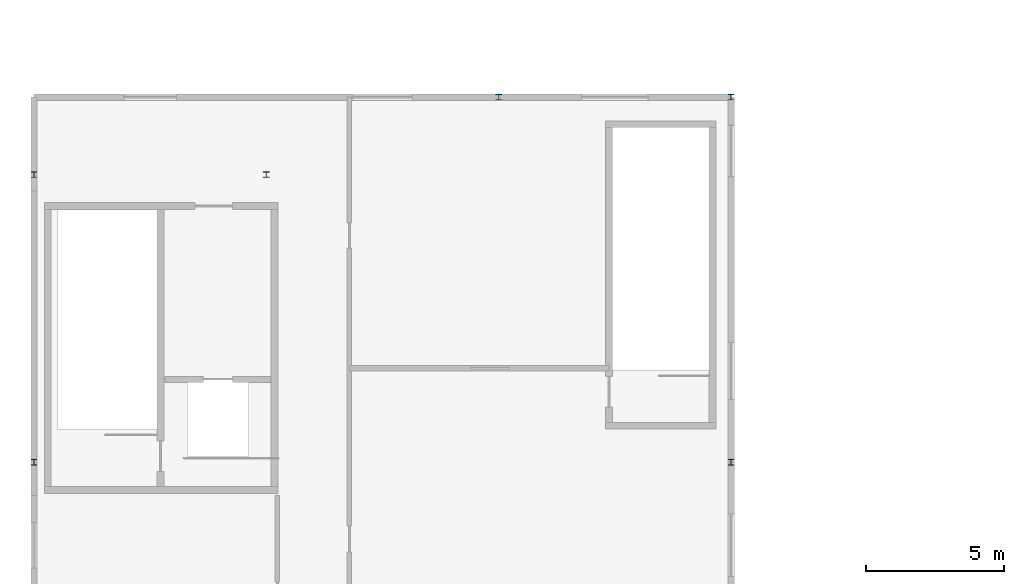
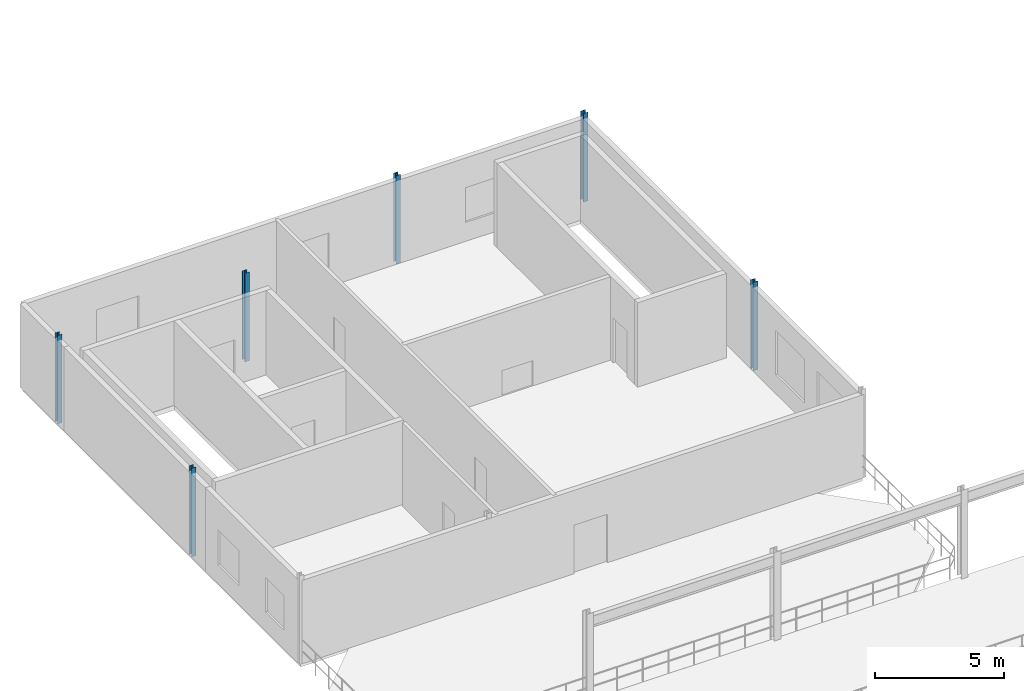
# One storey, part 6 of 32: 6 columns.
"""IFC4 building model written with IfcOpenShell, lengths in metres."""

from ifc_helpers import new_model, si_unit, direction, frame, origin, origin_2d, place, context, subcontext, project, spatial, i_section, extrude, material, material_profile, profile_set, type_object, element, save


model = new_model("IFC4")

# Units and contexts
model_context = context("Model", 3, precision=1e-05, world=origin(), true_north=direction((0.0, 1.0)))
body_context = subcontext(model_context, "Body", "Model", "MODEL_VIEW")
ifc_project = project(units=[si_unit("LENGTHUNIT", "METRE"), si_unit("AREAUNIT", "SQUARE_METRE"), si_unit("VOLUMEUNIT", "CUBIC_METRE"), si_unit("PLANEANGLEUNIT", "RADIAN"), si_unit("MASSUNIT", "GRAM", prefix="KILO")], contexts=[model_context])

# Site, building, storey
site_placement = place(None, origin())
site = spatial("IfcSite", under=ifc_project, at=site_placement, CompositionType="ELEMENT")
building_placement = place(site_placement, origin())
building = spatial("IfcBuilding", under=site, at=building_placement, Name="Selat Folded Stagehouse", CompositionType="ELEMENT")
storey_placement = place(building_placement, frame((0.0, 0.0, 19.199951171875)))
storey = spatial("IfcBuildingStorey", under=building, at=storey_placement, Name="L04", CompositionType="ELEMENT", Elevation=19.199951171875)

# Columns
ifc_material = material(Name="Steel S355", Category="steel")
ifc_material_profile = material_profile(ifc_material, i_section(OverallWidth=0.205810546875, OverallDepth=0.209716796875, WebThickness=0.009521484375, FlangeThickness=0.01416015625, FilletRadius=0.01025390625, at=origin_2d()), Name="UKC 203x203x60")
ifc_profile_set = profile_set([ifc_material_profile], Name="Steel S355")
column_type = type_object("IfcColumnType", Name="COL-UKC-203x203x60", PredefinedType="COLUMN", material=ifc_profile_set)
for number, where, z_axis, x_axis, name in (
    (1, (0.0, 70.800048828125, 0.0), (0.0, 0.0, 1.0), (1.0, 0.0, 0.0), "L04 column STK-V4-02"),
    (2, (0.0, 81.199951171875, 0.0), (0.0, 0.0, 1.0), (1.0, 0.0, 0.0), "L04 column STK-V4-03"),
    (3, (8.39990234375, 81.199951171875, 0.0), (0.0, 0.0, 1.0), (1.0, 0.0, 0.0), "L04 column STK-V4-06"),
    (4, (16.800048828125, 84.0, 0.0), (0.0, 0.0, 1.0), (1.0, 0.0, 0.0), "L04 column STK-V4-08"),
    (5, (25.199951171875, 70.800048828125, 0.0), (0.0, 0.0, 1.0), (1.0, 0.0, 0.0), "L04 column STK-V4-11"),
    (6, (25.199951171875, 84.0, 0.0), (0.0, 0.0, 1.0), (1.0, 0.0, 0.0), "L04 column STK-V4-12"),
):
    element("IfcColumn", number, at=place(storey_placement, frame(where, z_axis=z_axis, x_axis=x_axis)), inside=storey, type_object=column_type, Name=name, PredefinedType="COLUMN", context=body_context, shape_type="SweptSolid", body=[
        extrude(i_section(OverallWidth=0.205810546875, OverallDepth=0.209716796875, WebThickness=0.009521484375, FlangeThickness=0.01416015625, FilletRadius=0.01025390625, at=origin_2d()), origin(), (0.0, 0.0, 1.0), 4.199951171875),
    ])

save(model, "model.ifc")
